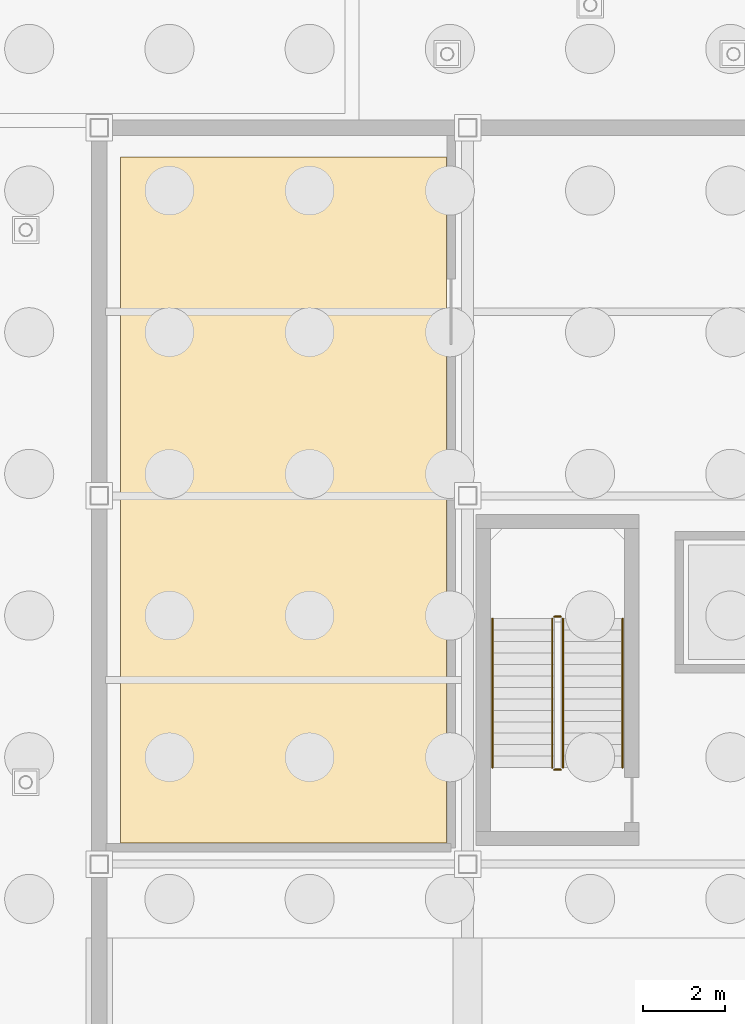
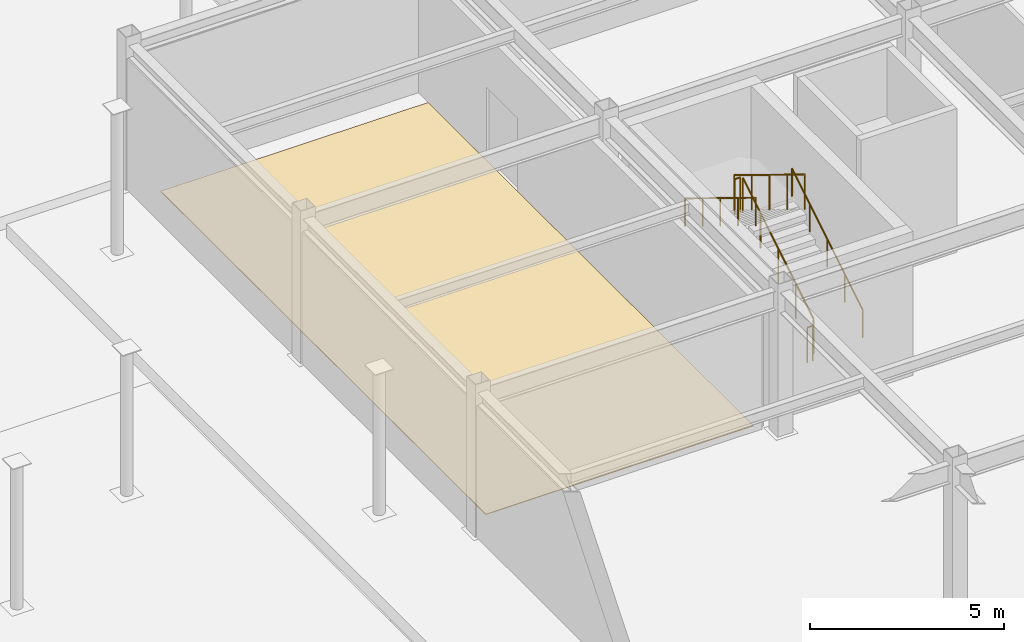
# One storey, part 67 of 74: 6 railings, 1 covering.
"""IFC4 building model written with IfcOpenShell, lengths in metres."""

from ifc_helpers import new_model, si_unit, direction, frame, origin, origin_2d, place, context, subcontext, project, spatial, polyline, circle, outline, extrude, material, layer, layer_set, type_object, element, save


model = new_model("IFC4")

# Units and contexts
model_context = context("Model", 3, precision=1e-05, world=origin(), true_north=direction((0.0, 1.0)))
body_context = subcontext(model_context, "Body", "Model", "MODEL_VIEW")
ifc_project = project(units=[si_unit("LENGTHUNIT", "METRE"), si_unit("AREAUNIT", "SQUARE_METRE"), si_unit("VOLUMEUNIT", "CUBIC_METRE"), si_unit("PLANEANGLEUNIT", "RADIAN"), si_unit("MASSUNIT", "GRAM", prefix="KILO")], contexts=[model_context])

# Site, building, storey
site_placement = place(None, origin())
site = spatial("IfcSite", under=ifc_project, at=site_placement, CompositionType="ELEMENT")
building_placement = place(site_placement, origin())
building = spatial("IfcBuilding", under=site, at=building_placement, Name="Suzunagisa Mobility Hub", CompositionType="ELEMENT")
storey_placement = place(building_placement, frame((0.0, 0.0, -4.800048828125)))
storey = spatial("IfcBuildingStorey", under=building, at=storey_placement, Name="B1", CompositionType="ELEMENT", Elevation=-4.800048828125)

# Railings
ifc_material_1 = material(Name="Stainless Steel SUS304", Category="metal")
railing_type_1 = type_object("IfcRailingType", Name="Interior Well Guardrail IGR-01", PredefinedType="GUARDRAIL", material=ifc_material_1)
railing_1_placement = place(storey_placement, frame((137.330078125, 20.360107421875, 0.17138671875)))
element("IfcRailing", 1, at=railing_1_placement, inside=storey, type_object=railing_type_1, Name="B1 ST-09 stair guard 1", PredefinedType="GUARDRAIL", context=body_context, shape_type="SweptSolid", body=[
    extrude(circle(Radius=0.02392578125, at=origin_2d()), frame((0.0, 0.0, 1.09619140625), z_axis=(0.0, 0.852824790078, 0.522197163366), x_axis=(-1.0, 0.0, 0.0)), (0.0, 0.0, 1.0), 4.26806640625),
    extrude(circle(Radius=0.02099609375, at=origin_2d()), origin(), (0.0, 0.0, 1.0), 1.072021484375),
    extrude(circle(Radius=0.02099609375, at=origin_2d()), frame((0.0, 0.909912109375, 0.55712890625)), (0.0, 0.0, 1.0), 1.072021484375),
    extrude(circle(Radius=0.02099609375, at=origin_2d()), frame((0.0, 1.81982421875, 1.1142578125)), (0.0, 0.0, 1.0), 1.072021484375),
    extrude(circle(Radius=0.02099609375, at=origin_2d()), frame((0.0, 2.72998046875, 1.671630859375)), (0.0, 0.0, 1.0), 1.072021484375),
    extrude(circle(Radius=0.02099609375, at=origin_2d()), frame((0.0, 3.639892578125, 2.228759765625)), (0.0, 0.0, 1.0), 1.072021484375),
])
railing_2_placement = place(storey_placement, frame((137.280029296875, 24.050048828125, 2.400146484375)))
element("IfcRailing", 2, at=railing_2_placement, inside=storey, type_object=railing_type_1, Name="B1 ST-09 stair guard 2", PredefinedType="GUARDRAIL", context=body_context, shape_type="SweptSolid", body=[
    extrude(circle(Radius=0.02392578125, at=origin_2d()), frame((0.0, 0.0, 1.09619140625), z_axis=(-1.0, 0.0, 0.0), x_axis=(0.0, -1.0, 0.0)), (0.0, 0.0, 1.0), 0.159912109375),
    extrude(circle(Radius=0.02099609375, at=origin_2d()), origin(), (0.0, 0.0, 1.0), 1.072021484375),
    extrude(circle(Radius=0.02099609375, at=origin_2d()), frame((-0.159912109375, 0.0, 0.0)), (0.0, 0.0, 1.0), 1.072021484375),
])
railing_3_placement = place(storey_placement, frame((137.070068359375, 24.0, 2.571533203125)))
element("IfcRailing", 3, at=railing_3_placement, inside=storey, type_object=railing_type_1, Name="B1 ST-09 stair guard 3", PredefinedType="GUARDRAIL", context=body_context, shape_type="SweptSolid", body=[
    extrude(circle(Radius=0.02392578125, at=origin_2d()), frame((0.0, 0.0, 1.09619140625), z_axis=(0.0, -0.852850264322, 0.5221555579), x_axis=(1.0, 0.0, 0.0)), (0.0, 0.0, 1.0), 4.267822265625),
    extrude(circle(Radius=0.02099609375, at=origin_2d()), origin(), (0.0, 0.0, 1.0), 1.072021484375),
    extrude(circle(Radius=0.02099609375, at=origin_2d()), frame((0.0, -0.909912109375, 0.55712890625)), (0.0, 0.0, 1.0), 1.072021484375),
    extrude(circle(Radius=0.02099609375, at=origin_2d()), frame((0.0, -1.81982421875, 1.1142578125)), (0.0, 0.0, 1.0), 1.072021484375),
    extrude(circle(Radius=0.02099609375, at=origin_2d()), frame((0.0, -2.72998046875, 1.67138671875)), (0.0, 0.0, 1.0), 1.072021484375),
    extrude(circle(Radius=0.02099609375, at=origin_2d()), frame((0.0, -3.639892578125, 2.228515625)), (0.0, 0.0, 1.0), 1.072021484375),
])
railing_4_placement = place(storey_placement, frame((137.280029296875, 20.31005859375, 0.0)))
element("IfcRailing", 4, at=railing_4_placement, inside=storey, type_object=railing_type_1, Name="B1 ST-09 stair guard 4", PredefinedType="GUARDRAIL", context=body_context, shape_type="SweptSolid", body=[
    extrude(circle(Radius=0.02392578125, at=origin_2d()), frame((0.0, 0.0, 1.09619140625), z_axis=(-1.0, 0.0, 0.0), x_axis=(0.0, -1.0, 0.0)), (0.0, 0.0, 1.0), 0.159912109375),
    extrude(circle(Radius=0.02099609375, at=origin_2d()), origin(), (0.0, 0.0, 1.0), 1.072021484375),
    extrude(circle(Radius=0.02099609375, at=origin_2d()), frame((-0.159912109375, 0.0, 0.0)), (0.0, 0.0, 1.0), 1.072021484375),
])

# Covering
ifc_material_2 = material(Name="Polished Aggregate Terrazzo Finish")
ifc_layer = layer(ifc_material_2, 0.02001953125)
ifc_layer_set = layer_set([ifc_layer], Name="Polished Aggregate Terrazzo Finish")
covering_type = type_object("IfcCoveringType", Name="Polished Terrazzo Heavy-Traffic Flooring FLR-01", PredefinedType="FLOORING", material=ifc_layer_set)
covering_placement = place(storey_placement, origin())
element("IfcCovering", 5, at=covering_placement, inside=storey, type_object=covering_type, Name="B1 High-Voltage Traction and EV Charger Substation Terrazzo Flooring", PredefinedType="FLOORING", context=body_context, shape_type="SweptSolid", body=[
    extrude(outline(polyline([(134.47998046875, 35.280029296875), (134.47998046875, 18.52001953125), (126.52001953125, 18.52001953125), (126.52001953125, 35.280029296875), (134.47998046875, 35.280029296875)])), origin(), (0.0, 0.0, 1.0), 0.02001953125),
])

# Railings
railing_type_2 = type_object("IfcRailingType", Name="Tubular Stainless Stair Handrail IHR-01", PredefinedType="HANDRAIL", material=ifc_material_1)
railing_5_placement = place(storey_placement, frame((138.7900390625, 20.360107421875, 0.17138671875)))
element("IfcRailing", 6, at=railing_5_placement, inside=storey, type_object=railing_type_2, Name="B1 ST-09 stair handrail 1", PredefinedType="HANDRAIL", context=body_context, shape_type="SweptSolid", body=[
    extrude(circle(Radius=0.02392578125, at=origin_2d()), frame((0.0, 0.0, 0.8759765625), z_axis=(0.0, 0.852824790078, 0.522197163366), x_axis=(-1.0, 0.0, 0.0)), (0.0, 0.0, 1.0), 4.26806640625),
    extrude(circle(Radius=0.02099609375, at=origin_2d()), origin(), (0.0, 0.0, 1.0), 0.851806640625),
    extrude(circle(Radius=0.02099609375, at=origin_2d()), frame((0.0, 0.909912109375, 0.55712890625)), (0.0, 0.0, 1.0), 0.851806640625),
    extrude(circle(Radius=0.02099609375, at=origin_2d()), frame((0.0, 1.81982421875, 1.1142578125)), (0.0, 0.0, 1.0), 0.851806640625),
    extrude(circle(Radius=0.02099609375, at=origin_2d()), frame((0.0, 2.72998046875, 1.671630859375)), (0.0, 0.0, 1.0), 0.851806640625),
    extrude(circle(Radius=0.02099609375, at=origin_2d()), frame((0.0, 3.639892578125, 2.228759765625)), (0.0, 0.0, 1.0), 0.851806640625),
])
railing_6_placement = place(storey_placement, frame((135.610107421875, 24.0, 2.571533203125)))
element("IfcRailing", 7, at=railing_6_placement, inside=storey, type_object=railing_type_2, Name="B1 ST-09 stair handrail 2", PredefinedType="HANDRAIL", context=body_context, shape_type="SweptSolid", body=[
    extrude(circle(Radius=0.02392578125, at=origin_2d()), frame((0.0, 0.0, 0.8759765625), z_axis=(0.0, -0.852850264322, 0.5221555579), x_axis=(1.0, 0.0, 0.0)), (0.0, 0.0, 1.0), 4.267822265625),
    extrude(circle(Radius=0.02099609375, at=origin_2d()), origin(), (0.0, 0.0, 1.0), 0.851806640625),
    extrude(circle(Radius=0.02099609375, at=origin_2d()), frame((0.0, -0.909912109375, 0.55712890625)), (0.0, 0.0, 1.0), 0.851806640625),
    extrude(circle(Radius=0.02099609375, at=origin_2d()), frame((0.0, -1.81982421875, 1.1142578125)), (0.0, 0.0, 1.0), 0.851806640625),
    extrude(circle(Radius=0.02099609375, at=origin_2d()), frame((0.0, -2.72998046875, 1.67138671875)), (0.0, 0.0, 1.0), 0.851806640625),
    extrude(circle(Radius=0.02099609375, at=origin_2d()), frame((0.0, -3.639892578125, 2.228515625)), (0.0, 0.0, 1.0), 0.851806640625),
])

save(model, "model.ifc")
